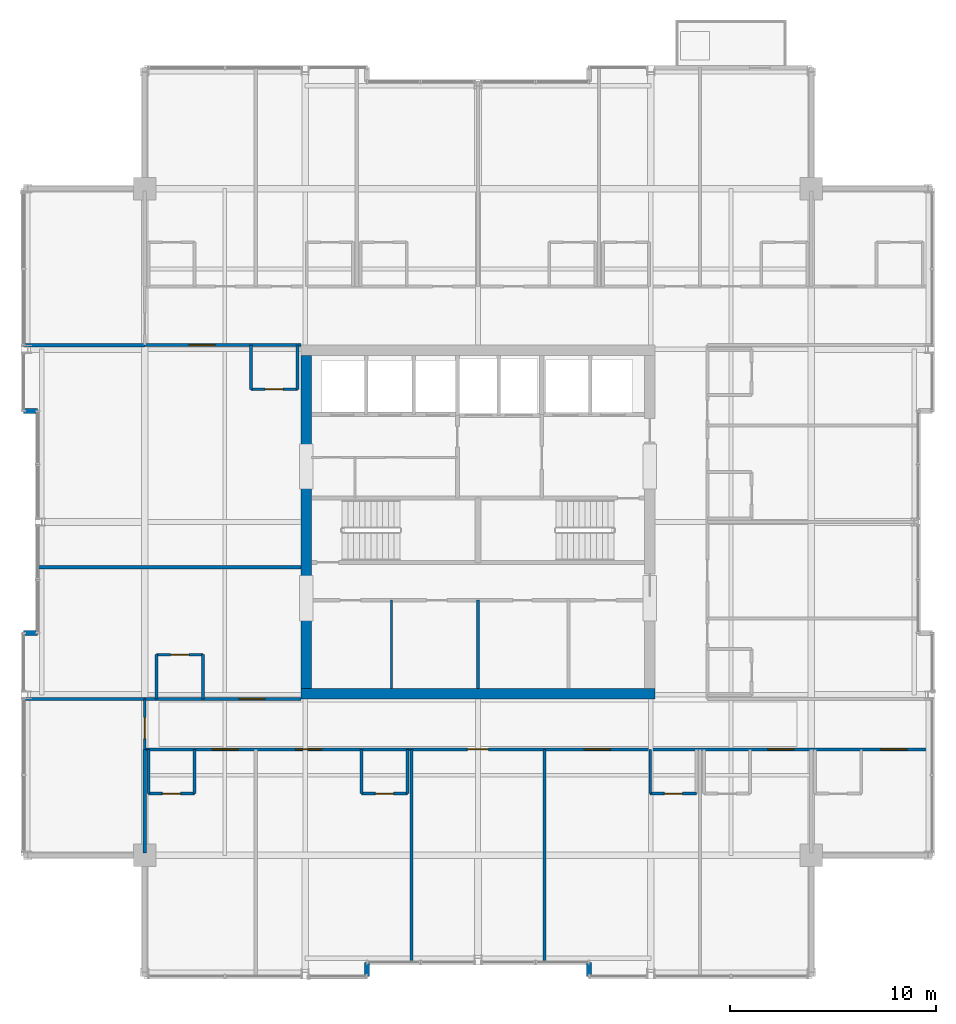
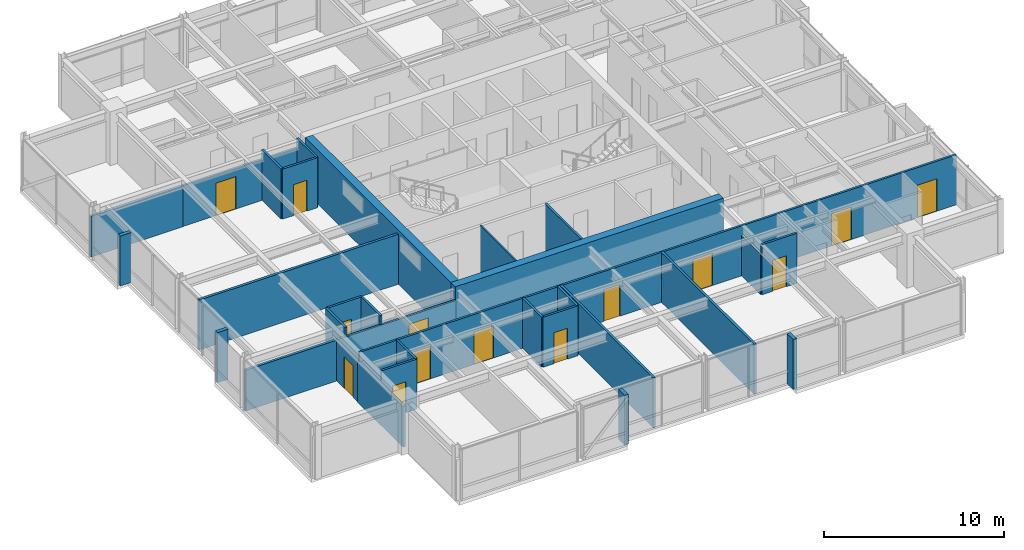
# One storey, part 27 of 33: 32 walls, 14 doors, 14 openings.
"""IFC4 building model written with IfcOpenShell, lengths in metres."""

from ifc_helpers import new_model, si_unit, direction, frame, frame_2d, origin, place, context, subcontext, project, spatial, rectangle, extrude, material, layer, layer_set, type_object, element, fill, save


model = new_model("IFC4")

# Units and contexts
model_context = context("Model", 3, precision=1e-05, world=origin(), true_north=direction((0.0, 1.0)))
body_context = subcontext(model_context, "Body", "Model", "MODEL_VIEW")
ifc_project = project(units=[si_unit("LENGTHUNIT", "METRE"), si_unit("AREAUNIT", "SQUARE_METRE"), si_unit("VOLUMEUNIT", "CUBIC_METRE"), si_unit("PLANEANGLEUNIT", "RADIAN"), si_unit("MASSUNIT", "GRAM", prefix="KILO")], contexts=[model_context])

# Site, building, storey
site_placement = place(None, origin())
site = spatial("IfcSite", under=ifc_project, at=site_placement, CompositionType="ELEMENT")
building_placement = place(site_placement, origin())
building = spatial("IfcBuilding", under=site, at=building_placement, Name="Drelvath Grand Hotel", CompositionType="ELEMENT")
storey_placement = place(building_placement, frame((0.0, 0.0, 268.64990234375)))
storey = spatial("IfcBuildingStorey", under=building, at=storey_placement, Name="L70", CompositionType="ELEMENT", Elevation=268.64990234375)

# Wall
ifc_material_1 = material(Name="Gypsum Partition Board")
ifc_layer_1 = layer(ifc_material_1, 0.10009765625)
ifc_layer_set_1 = layer_set([ifc_layer_1], Name="Gypsum Partition Board")
wall_type_1 = type_object("IfcWallType", Name="Core Closet Partition 100", PredefinedType="PARTITIONING", material=ifc_layer_set_1)
wall_1_placement = place(storey_placement, frame((-4.199951171875, 18.89990234375, 0.0), z_axis=(0.0, 0.0, 1.0), x_axis=(0.0, 1.0, 0.0)))
element("IfcWall", 1, at=wall_1_placement, inside=storey, type_object=wall_type_1, Name="L70 Upper Core Split 2A", PredefinedType="PARTITIONING", context=body_context, shape_type="SweptSolid", body=[
    extrude(rectangle(XDim=4.300048828125, YDim=0.10009765625, at=frame_2d((2.14990234375, 0.0))), origin(), (0.0, 0.0, 1.0), 3.39013671875),
])

# Wall, openings, doors
ifc_material_2 = material(Name="Gypsum Fireboard Partition")
ifc_layer_2 = layer(ifc_material_2, 0.135009765625)
ifc_layer_set_2 = layer_set([ifc_layer_2], Name="Gypsum Fireboard Partition")
wall_type_2 = type_object("IfcWallType", Name="Corridor Fire Barrier Wall 135", PredefinedType="PARTITIONING", material=ifc_layer_set_2)
wall_2_placement = place(storey_placement, frame((-16.199951171875, 15.949951171875, 0.0), z_axis=(0.0, 0.0, 1.0), x_axis=(1.0, 0.0, 0.0)))
wall_2 = element("IfcWall", 2, at=wall_2_placement, inside=storey, type_object=wall_type_2, Name="L70 South Cross-Gallery Wall", PredefinedType="PARTITIONING", context=body_context, shape_type="SweptSolid", body=[
    extrude(rectangle(XDim=38.280029296875, YDim=0.135009765625, at=frame_2d((19.14013671875, 0.0))), origin(), (0.0, 0.0, 1.0), 3.39013671875),
])
opening_1_placement = place(wall_2_placement, frame((35.784912109375, 0.0, 0.0)))
opening_1 = element("IfcOpeningElement", 3, at=opening_1_placement, cuts=wall_2, Name="Opening D-T5G1-023", PredefinedType="OPENING", context=body_context, shape_type="SweptSolid", body=[
    extrude(rectangle(XDim=1.260009765625, YDim=2.199951171875, at=frame_2d((0.6298828125, 1.10009765625))), frame((0.0, 0.077392578125, 0.0), z_axis=(0.0, -1.0, 0.0), x_axis=(1.0, 0.0, 0.0)), (0.0, 0.0, 1.0), 0.155029296875),
])
opening_2_placement = place(wall_2_placement, frame((3.284912109375, 0.0, 0.0)))
opening_2 = element("IfcOpeningElement", 4, at=opening_2_placement, cuts=wall_2, Name="Opening D-T5G1-027", PredefinedType="OPENING", context=body_context, shape_type="SweptSolid", body=[
    extrude(rectangle(XDim=1.260009765625, YDim=2.199951171875, at=frame_2d((0.6298828125, 1.10009765625))), frame((0.0, 0.077392578125, 0.0), z_axis=(0.0, -1.0, 0.0), x_axis=(1.0, 0.0, 0.0)), (0.0, 0.0, 1.0), 0.155029296875),
])
opening_3_placement = place(wall_2_placement, frame((7.3349609375, 0.0, 0.0)))
opening_3 = element("IfcOpeningElement", 5, at=opening_3_placement, cuts=wall_2, Name="Opening D-T5G1-029", PredefinedType="OPENING", context=body_context, shape_type="SweptSolid", body=[
    extrude(rectangle(XDim=1.260009765625, YDim=2.199951171875, at=frame_2d((0.6298828125, 1.10009765625))), frame((0.0, 0.077392578125, 0.0), z_axis=(0.0, -1.0, 0.0), x_axis=(1.0, 0.0, 0.0)), (0.0, 0.0, 1.0), 0.155029296875),
])
opening_4_placement = place(wall_2_placement, frame((15.68994140625, 0.0, 0.0)))
opening_4 = element("IfcOpeningElement", 6, at=opening_4_placement, cuts=wall_2, Name="Opening D-T5G1-030", PredefinedType="OPENING", context=body_context, shape_type="SweptSolid", body=[
    extrude(rectangle(XDim=1.02001953125, YDim=2.14990234375, at=frame_2d((0.510009765625, 1.074951171875))), frame((0.0, 0.077392578125, 0.0), z_axis=(0.0, -1.0, 0.0), x_axis=(1.0, 0.0, 0.0)), (0.0, 0.0, 1.0), 0.155029296875),
])
opening_5_placement = place(wall_2_placement, frame((21.375, 0.0, 0.0)))
opening_5 = element("IfcOpeningElement", 7, at=opening_5_placement, cuts=wall_2, Name="Opening D-T5G1-032", PredefinedType="OPENING", context=body_context, shape_type="SweptSolid", body=[
    extrude(rectangle(XDim=1.260009765625, YDim=2.199951171875, at=frame_2d((0.6298828125, 1.10009765625))), frame((0.0, 0.077392578125, 0.0), z_axis=(0.0, -1.0, 0.0), x_axis=(1.0, 0.0, 0.0)), (0.0, 0.0, 1.0), 0.155029296875),
])
opening_6_placement = place(wall_2_placement, frame((30.284912109375, 0.0, 0.0)))
opening_6 = element("IfcOpeningElement", 8, at=opening_6_placement, cuts=wall_2, Name="Opening D-T5G1-034", PredefinedType="OPENING", context=body_context, shape_type="SweptSolid", body=[
    extrude(rectangle(XDim=1.260009765625, YDim=2.199951171875, at=frame_2d((0.6298828125, 1.10009765625))), frame((0.0, 0.077392578125, 0.0), z_axis=(0.0, -1.0, 0.0), x_axis=(1.0, 0.0, 0.0)), (0.0, 0.0, 1.0), 0.155029296875),
])
ifc_material_3 = material(Name="Hardwood Walnut Timber", Category="wood")
door_type_1 = type_object("IfcDoorType", Name="Amenity Meeting Fire Door 1020x2150", OperationType="NOTDEFINED", PredefinedType="DOOR", material=ifc_material_3)
door_1_placement = place(opening_4_placement, origin())
door_1 = element("IfcDoor", 9, at=door_1_placement, inside=storey, type_object=door_type_1, Name="L70 Royal Sky Lounge Entry Door", OperationType="SINGLE_SWING_LEFT", OverallHeight=2.14990234375, OverallWidth=1.02001953125, PredefinedType="DOOR", context=body_context, shape_type="SweptSolid", body=[
    extrude(rectangle(XDim=1.02001953125, YDim=2.14990234375, at=frame_2d((0.510009765625, 1.074951171875))), frame((0.0, 0.02490234375, 0.0), z_axis=(0.0, -1.0, 0.0), x_axis=(1.0, 0.0, 0.0)), (0.0, 0.0, 1.0), 0.050048828125),
])
fill(opening_4, door_1)
door_type_2 = type_object("IfcDoorType", Name="Suite Entrance Fire Door 1260x2200", OperationType="NOTDEFINED", PredefinedType="DOOR", material=ifc_material_3)
door_2_placement = place(opening_1_placement, origin())
door_2 = element("IfcDoor", 10, at=door_2_placement, inside=storey, type_object=door_type_2, Name="L70 Royal Suite Entry Door", OperationType="SINGLE_SWING_RIGHT", OverallHeight=2.199951171875, OverallWidth=1.260009765625, PredefinedType="DOOR", context=body_context, shape_type="SweptSolid", body=[
    extrude(rectangle(XDim=1.260009765625, YDim=2.199951171875, at=frame_2d((0.6298828125, 1.10009765625))), frame((0.0, 0.02490234375, 0.0), z_axis=(0.0, -1.0, 0.0), x_axis=(1.0, 0.0, 0.0)), (0.0, 0.0, 1.0), 0.050048828125),
])
fill(opening_1, door_2)
door_3_placement = place(opening_2_placement, origin())
door_3 = element("IfcDoor", 11, at=door_3_placement, inside=storey, type_object=door_type_2, Name="L70 Royal Suite Entry Door", OperationType="SINGLE_SWING_RIGHT", OverallHeight=2.199951171875, OverallWidth=1.260009765625, PredefinedType="DOOR", context=body_context, shape_type="SweptSolid", body=[
    extrude(rectangle(XDim=1.260009765625, YDim=2.199951171875, at=frame_2d((0.6298828125, 1.10009765625))), frame((0.0, 0.02490234375, 0.0), z_axis=(0.0, -1.0, 0.0), x_axis=(1.0, 0.0, 0.0)), (0.0, 0.0, 1.0), 0.050048828125),
])
fill(opening_2, door_3)
door_4_placement = place(opening_3_placement, origin())
door_4 = element("IfcDoor", 12, at=door_4_placement, inside=storey, type_object=door_type_2, Name="L70 Royal Suite Entry Door", OperationType="SINGLE_SWING_RIGHT", OverallHeight=2.199951171875, OverallWidth=1.260009765625, PredefinedType="DOOR", context=body_context, shape_type="SweptSolid", body=[
    extrude(rectangle(XDim=1.260009765625, YDim=2.199951171875, at=frame_2d((0.6298828125, 1.10009765625))), frame((0.0, 0.02490234375, 0.0), z_axis=(0.0, -1.0, 0.0), x_axis=(1.0, 0.0, 0.0)), (0.0, 0.0, 1.0), 0.050048828125),
])
fill(opening_3, door_4)
door_5_placement = place(opening_5_placement, origin())
door_5 = element("IfcDoor", 13, at=door_5_placement, inside=storey, type_object=door_type_2, Name="L70 Royal Suite Entry Door", OperationType="SINGLE_SWING_LEFT", OverallHeight=2.199951171875, OverallWidth=1.260009765625, PredefinedType="DOOR", context=body_context, shape_type="SweptSolid", body=[
    extrude(rectangle(XDim=1.260009765625, YDim=2.199951171875, at=frame_2d((0.6298828125, 1.10009765625))), frame((0.0, 0.02490234375, 0.0), z_axis=(0.0, -1.0, 0.0), x_axis=(1.0, 0.0, 0.0)), (0.0, 0.0, 1.0), 0.050048828125),
])
fill(opening_5, door_5)
door_6_placement = place(opening_6_placement, origin())
door_6 = element("IfcDoor", 14, at=door_6_placement, inside=storey, type_object=door_type_2, Name="L70 Royal Suite Entry Door", OperationType="SINGLE_SWING_LEFT", OverallHeight=2.199951171875, OverallWidth=1.260009765625, PredefinedType="DOOR", context=body_context, shape_type="SweptSolid", body=[
    extrude(rectangle(XDim=1.260009765625, YDim=2.199951171875, at=frame_2d((0.6298828125, 1.10009765625))), frame((0.0, 0.02490234375, 0.0), z_axis=(0.0, -1.0, 0.0), x_axis=(1.0, 0.0, 0.0)), (0.0, 0.0, 1.0), 0.050048828125),
])
fill(opening_6, door_6)

# Wall, opening, door
wall_3_placement = place(storey_placement, frame((-16.199951171875, 18.39990234375, 0.0), z_axis=(0.0, 0.0, 1.0), x_axis=(1.0, 0.0, 0.0)))
wall_3 = element("IfcWall", 15, at=wall_3_placement, inside=storey, type_object=wall_type_2, Name="L70 South Gallery Inner West Wall", PredefinedType="PARTITIONING", context=body_context, shape_type="SweptSolid", body=[
    extrude(rectangle(XDim=7.599853515625, YDim=0.135009765625, at=frame_2d((3.7998046875, 0.0))), origin(), (0.0, 0.0, 1.0), 2.767578125),
])
opening_7_placement = place(wall_3_placement, frame((4.5849609375, 0.0, 0.0)))
opening_7 = element("IfcOpeningElement", 16, at=opening_7_placement, cuts=wall_3, Name="Opening D-T5G1-055", PredefinedType="OPENING", context=body_context, shape_type="SweptSolid", body=[
    extrude(rectangle(XDim=1.260009765625, YDim=2.199951171875, at=frame_2d((0.6298828125, 1.10009765625))), frame((0.0, 0.077392578125, 0.0), z_axis=(0.0, -1.0, 0.0), x_axis=(1.0, 0.0, 0.0)), (0.0, 0.0, 1.0), 0.155029296875),
])
door_7_placement = place(opening_7_placement, origin())
door_7 = element("IfcDoor", 17, at=door_7_placement, inside=storey, type_object=door_type_2, Name="L70 Royal Suite Entry Door", OperationType="SINGLE_SWING_RIGHT", OverallHeight=2.199951171875, OverallWidth=1.260009765625, PredefinedType="DOOR", context=body_context, shape_type="SweptSolid", body=[
    extrude(rectangle(XDim=1.260009765625, YDim=2.199951171875, at=frame_2d((0.6298828125, 1.10009765625))), frame((0.0, 0.02490234375, 0.0), z_axis=(0.0, -1.0, 0.0), x_axis=(1.0, 0.0, 0.0)), (0.0, 0.0, 1.0), 0.050048828125),
])
fill(opening_7, door_7)

wall_4_placement = place(storey_placement, frame((-16.199951171875, 35.60009765625, 0.0), z_axis=(0.0, 0.0, 1.0), x_axis=(1.0, 0.0, 0.0)))
wall_4 = element("IfcWall", 18, at=wall_4_placement, inside=storey, type_object=wall_type_2, Name="L70 North Gallery Inner West Wall", PredefinedType="PARTITIONING", context=body_context, shape_type="SweptSolid", body=[
    extrude(rectangle(XDim=7.599853515625, YDim=0.135009765625, at=frame_2d((3.7998046875, 0.0))), origin(), (0.0, 0.0, 1.0), 2.767578125),
])
opening_8_placement = place(wall_4_placement, frame((2.155029296875, 0.0, 0.0)))
opening_8 = element("IfcOpeningElement", 19, at=opening_8_placement, cuts=wall_4, Name="Opening D-T5G1-057", PredefinedType="OPENING", context=body_context, shape_type="SweptSolid", body=[
    extrude(rectangle(XDim=1.260009765625, YDim=2.199951171875, at=frame_2d((0.6298828125, 1.10009765625))), frame((0.0, 0.077392578125, 0.0), z_axis=(0.0, -1.0, 0.0), x_axis=(1.0, 0.0, 0.0)), (0.0, 0.0, 1.0), 0.155029296875),
])
door_8_placement = place(opening_8_placement, origin())
door_8 = element("IfcDoor", 20, at=door_8_placement, inside=storey, type_object=door_type_2, Name="L70 Royal Suite Entry Door", OperationType="SINGLE_SWING_RIGHT", OverallHeight=2.199951171875, OverallWidth=1.260009765625, PredefinedType="DOOR", context=body_context, shape_type="SweptSolid", body=[
    extrude(rectangle(XDim=1.260009765625, YDim=2.199951171875, at=frame_2d((0.6298828125, 1.10009765625))), frame((0.0, 0.02490234375, 0.0), z_axis=(0.0, -1.0, 0.0), x_axis=(1.0, 0.0, 0.0)), (0.0, 0.0, 1.0), 0.050048828125),
])
fill(opening_8, door_8)

wall_5_placement = place(storey_placement, frame((-16.199951171875, 15.949951171875, 0.0), z_axis=(0.0, 0.0, 1.0), x_axis=(0.0, 1.0, 0.0)))
wall_5 = element("IfcWall", 21, at=wall_5_placement, inside=storey, type_object=wall_type_2, Name="L70 South Gallery West End", PredefinedType="PARTITIONING", context=body_context, shape_type="SweptSolid", body=[
    extrude(rectangle(XDim=2.449951171875, YDim=0.135009765625, at=frame_2d((1.22509765625, 0.0))), origin(), (0.0, 0.0, 1.0), 2.76416015625),
])
opening_9_placement = place(wall_5_placement, frame((0.52001953125, 0.0, 0.0)))
opening_9 = element("IfcOpeningElement", 22, at=opening_9_placement, cuts=wall_5, Name="Opening D-T5G1-020", PredefinedType="OPENING", context=body_context, shape_type="SweptSolid", body=[
    extrude(rectangle(XDim=1.02001953125, YDim=2.14990234375, at=frame_2d((0.510009765625, 1.074951171875))), frame((0.0, 0.077392578125, 0.0), z_axis=(0.0, -1.0, 0.0), x_axis=(1.0, 0.0, 0.0)), (0.0, 0.0, 1.0), 0.155029296875),
])
door_9_placement = place(opening_9_placement, origin())
door_9 = element("IfcDoor", 23, at=door_9_placement, inside=storey, type_object=door_type_1, Name="L70 Corner Panorama Lounge Door", OperationType="SINGLE_SWING_LEFT", OverallHeight=2.14990234375, OverallWidth=1.02001953125, PredefinedType="DOOR", context=body_context, shape_type="SweptSolid", body=[
    extrude(rectangle(XDim=1.02001953125, YDim=2.14990234375, at=frame_2d((0.510009765625, 1.074951171875))), frame((0.0, 0.02490234375, 0.0), z_axis=(0.0, -1.0, 0.0), x_axis=(1.0, 0.0, 0.0)), (0.0, 0.0, 1.0), 0.050048828125),
])
fill(opening_9, door_9)

# Walls
ifc_material_4 = material(Name="Moisture-Resistant Gypsum Board")
ifc_layer_3 = layer(ifc_material_4, 0.139892578125)
ifc_layer_set_3 = layer_set([ifc_layer_3], Name="Moisture-Resistant Gypsum Board")
wall_type_3 = type_object("IfcWallType", Name="En-Suite Plumbing Wall 140", PredefinedType="PLUMBINGWALL", material=ifc_layer_set_3)
wall_6_placement = place(storey_placement, frame((0.0, 18.89990234375, 0.0), z_axis=(0.0, 0.0, 1.0), x_axis=(0.0, 1.0, 0.0)))
element("IfcWall", 24, at=wall_6_placement, inside=storey, type_object=wall_type_3, Name="L70 Upper Core Split 2B", PredefinedType="PLUMBINGWALL", context=body_context, shape_type="SweptSolid", body=[
    extrude(rectangle(XDim=4.300048828125, YDim=0.139892578125, at=frame_2d((2.14990234375, 0.0))), origin(), (0.0, 0.0, 1.0), 3.39013671875),
])
wall_7_placement = place(storey_placement, frame((-16.02001953125, 15.949951171875, 0.0), z_axis=(0.0, 0.0, 1.0), x_axis=(0.0, -1.0, 0.0)))
element("IfcWall", 25, at=wall_7_placement, inside=storey, type_object=wall_type_3, Name="L70 En-Suite Left Wall", PredefinedType="PLUMBINGWALL", context=body_context, shape_type="SweptSolid", body=[
    extrude(rectangle(XDim=2.14990234375, YDim=0.139892578125, at=frame_2d((1.074951171875, 0.0))), origin(), (0.0, 0.0, 1.0), 2.76416015625),
])
wall_8_placement = place(storey_placement, frame((-13.77001953125, 15.949951171875, 0.0), z_axis=(0.0, 0.0, 1.0), x_axis=(0.0, -1.0, 0.0)))
element("IfcWall", 26, at=wall_8_placement, inside=storey, type_object=wall_type_3, Name="L70 En-Suite Right Wall", PredefinedType="PLUMBINGWALL", context=body_context, shape_type="SweptSolid", body=[
    extrude(rectangle(XDim=2.14990234375, YDim=0.139892578125, at=frame_2d((1.074951171875, 0.0))), origin(), (0.0, 0.0, 1.0), 3.39013671875),
])

# Wall, opening, door
wall_9_placement = place(storey_placement, frame((-16.02001953125, 13.800048828125, 0.0), z_axis=(0.0, 0.0, 1.0), x_axis=(1.0, 0.0, 0.0)))
wall_9 = element("IfcWall", 27, at=wall_9_placement, inside=storey, type_object=wall_type_3, Name="L70 En-Suite Front Wall", PredefinedType="PLUMBINGWALL", context=body_context, shape_type="SweptSolid", body=[
    extrude(rectangle(XDim=2.25, YDim=0.139892578125, at=frame_2d((1.125, 0.0))), origin(), (0.0, 0.0, 1.0), 3.39013671875),
])
opening_10_placement = place(wall_9_placement, frame((0.68505859375, 0.0, 0.0)))
opening_10 = element("IfcOpeningElement", 28, at=opening_10_placement, cuts=wall_9, Name="Opening D-T5G1-026", PredefinedType="OPENING", context=body_context, shape_type="SweptSolid", body=[
    extrude(rectangle(XDim=0.8798828125, YDim=2.10009765625, at=frame_2d((0.43994140625, 1.050048828125))), frame((0.0, 0.079833984375, 0.0), z_axis=(0.0, -1.0, 0.0), x_axis=(1.0, 0.0, 0.0)), (0.0, 0.0, 1.0), 0.159912109375),
])
door_type_3 = type_object("IfcDoorType", Name="En-Suite Bathroom Door 880x2100", OperationType="NOTDEFINED", PredefinedType="DOOR", material=ifc_material_3)
door_10_placement = place(opening_10_placement, origin())
door_10 = element("IfcDoor", 29, at=door_10_placement, inside=storey, type_object=door_type_3, Name="L70 En-Suite Bathroom Door", OperationType="SINGLE_SWING_LEFT", OverallHeight=2.10009765625, OverallWidth=0.8798828125, PredefinedType="DOOR", context=body_context, shape_type="SweptSolid", body=[
    extrude(rectangle(XDim=0.8798828125, YDim=2.10009765625, at=frame_2d((0.43994140625, 1.050048828125))), frame((0.0, 0.02490234375, 0.0), z_axis=(0.0, -1.0, 0.0), x_axis=(1.0, 0.0, 0.0)), (0.0, 0.0, 1.0), 0.050048828125),
])
fill(opening_10, door_10)

# Walls
for number, where, z_axis, x_axis, name in (
    (30, (-5.669921875, 15.949951171875, 0.0), (0.0, 0.0, 1.0), (0.0, -1.0, 0.0), "L70 En-Suite Left Wall"),
    (31, (-3.419921875, 15.949951171875, 0.0), (0.0, 0.0, 1.0), (0.0, -1.0, 0.0), "L70 En-Suite Right Wall"),
):
    element("IfcWall", number, at=place(storey_placement, frame(where, z_axis=z_axis, x_axis=x_axis)), inside=storey, type_object=wall_type_3, Name=name, PredefinedType="PLUMBINGWALL", context=body_context, shape_type="SweptSolid", body=[
        extrude(rectangle(XDim=2.14990234375, YDim=0.139892578125, at=frame_2d((1.074951171875, 0.0))), origin(), (0.0, 0.0, 1.0), 3.39013671875),
    ])

# Wall, opening, door
wall_10_placement = place(storey_placement, frame((-5.669921875, 13.800048828125, 0.0), z_axis=(0.0, 0.0, 1.0), x_axis=(1.0, 0.0, 0.0)))
wall_10 = element("IfcWall", 32, at=wall_10_placement, inside=storey, type_object=wall_type_3, Name="L70 En-Suite Front Wall", PredefinedType="PLUMBINGWALL", context=body_context, shape_type="SweptSolid", body=[
    extrude(rectangle(XDim=2.25, YDim=0.139892578125, at=frame_2d((1.125, 0.0))), origin(), (0.0, 0.0, 1.0), 3.39013671875),
])
opening_11_placement = place(wall_10_placement, frame((0.68505859375, 0.0, 0.0)))
opening_11 = element("IfcOpeningElement", 33, at=opening_11_placement, cuts=wall_10, Name="Opening D-T5G1-028", PredefinedType="OPENING", context=body_context, shape_type="SweptSolid", body=[
    extrude(rectangle(XDim=0.8798828125, YDim=2.10009765625, at=frame_2d((0.43994140625, 1.050048828125))), frame((0.0, 0.079833984375, 0.0), z_axis=(0.0, -1.0, 0.0), x_axis=(1.0, 0.0, 0.0)), (0.0, 0.0, 1.0), 0.159912109375),
])
door_11_placement = place(opening_11_placement, origin())
door_11 = element("IfcDoor", 34, at=door_11_placement, inside=storey, type_object=door_type_3, Name="L70 En-Suite Bathroom Door", OperationType="SINGLE_SWING_LEFT", OverallHeight=2.10009765625, OverallWidth=0.8798828125, PredefinedType="DOOR", context=body_context, shape_type="SweptSolid", body=[
    extrude(rectangle(XDim=0.8798828125, YDim=2.10009765625, at=frame_2d((0.43994140625, 1.050048828125))), frame((0.0, 0.02490234375, 0.0), z_axis=(0.0, -1.0, 0.0), x_axis=(1.0, 0.0, 0.0)), (0.0, 0.0, 1.0), 0.050048828125),
])
fill(opening_11, door_11)

# Wall
wall_11_placement = place(storey_placement, frame((8.3701171875, 15.949951171875, 0.0), z_axis=(0.0, 0.0, 1.0), x_axis=(0.0, -1.0, 0.0)))
element("IfcWall", 35, at=wall_11_placement, inside=storey, type_object=wall_type_3, Name="L70 En-Suite Left Wall", PredefinedType="PLUMBINGWALL", context=body_context, shape_type="SweptSolid", body=[
    extrude(rectangle(XDim=2.14990234375, YDim=0.139892578125, at=frame_2d((1.074951171875, 0.0))), origin(), (0.0, 0.0, 1.0), 2.767578125),
])

# Wall, opening, door
wall_12_placement = place(storey_placement, frame((8.3701171875, 13.800048828125, 0.0), z_axis=(0.0, 0.0, 1.0), x_axis=(1.0, 0.0, 0.0)))
wall_12 = element("IfcWall", 36, at=wall_12_placement, inside=storey, type_object=wall_type_3, Name="L70 En-Suite Front Wall", PredefinedType="PLUMBINGWALL", context=body_context, shape_type="SweptSolid", body=[
    extrude(rectangle(XDim=2.25, YDim=0.139892578125, at=frame_2d((1.125, 0.0))), origin(), (0.0, 0.0, 1.0), 3.39013671875),
])
opening_12_placement = place(wall_12_placement, frame((0.68505859375, 0.0, 0.0)))
opening_12 = element("IfcOpeningElement", 37, at=opening_12_placement, cuts=wall_12, Name="Opening D-T5G1-031", PredefinedType="OPENING", context=body_context, shape_type="SweptSolid", body=[
    extrude(rectangle(XDim=0.8798828125, YDim=2.10009765625, at=frame_2d((0.43994140625, 1.050048828125))), frame((0.0, 0.079833984375, 0.0), z_axis=(0.0, -1.0, 0.0), x_axis=(1.0, 0.0, 0.0)), (0.0, 0.0, 1.0), 0.159912109375),
])
door_12_placement = place(opening_12_placement, origin())
door_12 = element("IfcDoor", 38, at=door_12_placement, inside=storey, type_object=door_type_3, Name="L70 En-Suite Bathroom Door", OperationType="SINGLE_SWING_RIGHT", OverallHeight=2.10009765625, OverallWidth=0.8798828125, PredefinedType="DOOR", context=body_context, shape_type="SweptSolid", body=[
    extrude(rectangle(XDim=0.8798828125, YDim=2.10009765625, at=frame_2d((0.43994140625, 1.050048828125))), frame((0.0, 0.02490234375, 0.0), z_axis=(0.0, -1.0, 0.0), x_axis=(1.0, 0.0, 0.0)), (0.0, 0.0, 1.0), 0.050048828125),
])
fill(opening_12, door_12)

# Walls
for number, where, z_axis, x_axis, name in (
    (39, (-15.6201171875, 18.39990234375, 0.0), (0.0, 0.0, 1.0), (0.0, 1.0, 0.0), "L70 En-Suite Left Wall"),
    (40, (-13.3701171875, 18.39990234375, 0.0), (0.0, 0.0, 1.0), (0.0, 1.0, 0.0), "L70 En-Suite Right Wall"),
):
    element("IfcWall", number, at=place(storey_placement, frame(where, z_axis=z_axis, x_axis=x_axis)), inside=storey, type_object=wall_type_3, Name=name, PredefinedType="PLUMBINGWALL", context=body_context, shape_type="SweptSolid", body=[
        extrude(rectangle(XDim=2.150146484375, YDim=0.139892578125, at=frame_2d((1.0751953125, 0.0))), origin(), (0.0, 0.0, 1.0), 3.39013671875),
    ])

# Wall, opening, door
wall_13_placement = place(storey_placement, frame((-15.6201171875, 20.550048828125, 0.0), z_axis=(0.0, 0.0, 1.0), x_axis=(1.0, 0.0, 0.0)))
wall_13 = element("IfcWall", 41, at=wall_13_placement, inside=storey, type_object=wall_type_3, Name="L70 En-Suite Front Wall", PredefinedType="PLUMBINGWALL", context=body_context, shape_type="SweptSolid", body=[
    extrude(rectangle(XDim=2.25, YDim=0.139892578125, at=frame_2d((1.125, 0.0))), origin(), (0.0, 0.0, 1.0), 3.39013671875),
])
opening_13_placement = place(wall_13_placement, frame((0.68505859375, 0.0, 0.0)))
opening_13 = element("IfcOpeningElement", 42, at=opening_13_placement, cuts=wall_13, Name="Opening D-T5G1-054", PredefinedType="OPENING", context=body_context, shape_type="SweptSolid", body=[
    extrude(rectangle(XDim=0.8798828125, YDim=2.10009765625, at=frame_2d((0.43994140625, 1.050048828125))), frame((0.0, 0.079833984375, 0.0), z_axis=(0.0, -1.0, 0.0), x_axis=(1.0, 0.0, 0.0)), (0.0, 0.0, 1.0), 0.159912109375),
])
door_13_placement = place(opening_13_placement, origin())
door_13 = element("IfcDoor", 43, at=door_13_placement, inside=storey, type_object=door_type_3, Name="L70 En-Suite Bathroom Door", OperationType="SINGLE_SWING_LEFT", OverallHeight=2.10009765625, OverallWidth=0.8798828125, PredefinedType="DOOR", context=body_context, shape_type="SweptSolid", body=[
    extrude(rectangle(XDim=0.8798828125, YDim=2.10009765625, at=frame_2d((0.43994140625, 1.050048828125))), frame((0.0, 0.02490234375, 0.0), z_axis=(0.0, -1.0, 0.0), x_axis=(1.0, 0.0, 0.0)), (0.0, 0.0, 1.0), 0.050048828125),
])
fill(opening_13, door_13)

# Walls
for number, where, z_axis, x_axis, name in (
    (44, (-11.030029296875, 35.60009765625, 0.0), (0.0, 0.0, 1.0), (0.0, -1.0, 0.0), "L70 En-Suite Left Wall"),
    (45, (-8.780029296875, 35.60009765625, 0.0), (0.0, 0.0, 1.0), (0.0, -1.0, 0.0), "L70 En-Suite Right Wall"),
):
    element("IfcWall", number, at=place(storey_placement, frame(where, z_axis=z_axis, x_axis=x_axis)), inside=storey, type_object=wall_type_3, Name=name, PredefinedType="PLUMBINGWALL", context=body_context, shape_type="SweptSolid", body=[
        extrude(rectangle(XDim=2.150146484375, YDim=0.139892578125, at=frame_2d((1.0751953125, 0.0))), origin(), (0.0, 0.0, 1.0), 3.39013671875),
    ])

# Wall, opening, door
wall_14_placement = place(storey_placement, frame((-11.030029296875, 33.449951171875, 0.0), z_axis=(0.0, 0.0, 1.0), x_axis=(1.0, 0.0, 0.0)))
wall_14 = element("IfcWall", 46, at=wall_14_placement, inside=storey, type_object=wall_type_3, Name="L70 En-Suite Front Wall", PredefinedType="PLUMBINGWALL", context=body_context, shape_type="SweptSolid", body=[
    extrude(rectangle(XDim=2.25, YDim=0.139892578125, at=frame_2d((1.125, 0.0))), origin(), (0.0, 0.0, 1.0), 3.39013671875),
])
opening_14_placement = place(wall_14_placement, frame((0.68505859375, 0.0, 0.0)))
opening_14 = element("IfcOpeningElement", 47, at=opening_14_placement, cuts=wall_14, Name="Opening D-T5G1-056", PredefinedType="OPENING", context=body_context, shape_type="SweptSolid", body=[
    extrude(rectangle(XDim=0.8798828125, YDim=2.10009765625, at=frame_2d((0.43994140625, 1.050048828125))), frame((0.0, 0.079833984375, 0.0), z_axis=(0.0, -1.0, 0.0), x_axis=(1.0, 0.0, 0.0)), (0.0, 0.0, 1.0), 0.159912109375),
])
door_14_placement = place(opening_14_placement, origin())
door_14 = element("IfcDoor", 48, at=door_14_placement, inside=storey, type_object=door_type_3, Name="L70 En-Suite Bathroom Door", OperationType="SINGLE_SWING_LEFT", OverallHeight=2.10009765625, OverallWidth=0.8798828125, PredefinedType="DOOR", context=body_context, shape_type="SweptSolid", body=[
    extrude(rectangle(XDim=0.8798828125, YDim=2.10009765625, at=frame_2d((0.43994140625, 1.050048828125))), frame((0.0, 0.02490234375, 0.0), z_axis=(0.0, -1.0, 0.0), x_axis=(1.0, 0.0, 0.0)), (0.0, 0.0, 1.0), 0.050048828125),
])
fill(opening_14, door_14)

# Walls
ifc_material_5 = material(Name="Gypsum Acoustic Partition")
ifc_layer_4 = layer(ifc_material_5, 0.14990234375)
ifc_layer_set_4 = layer_set([ifc_layer_4], Name="Gypsum Acoustic Partition")
wall_type_4 = type_object("IfcWallType", Name="Guestroom Demising Wall 150", PredefinedType="PARTITIONING", material=ifc_layer_set_4)
for number, where, z_axis, x_axis, name in (
    (49, (-3.239990234375, 5.60009765625, 0.0), (0.0, 0.0, 1.0), (0.0, 1.0, 0.0), "L70 South Demising 2"),
    (50, (3.239990234375, 5.60009765625, 0.0), (0.0, 0.0, 1.0), (0.0, 1.0, 0.0), "L70 South Demising 3"),
):
    element("IfcWall", number, at=place(storey_placement, frame(where, z_axis=z_axis, x_axis=x_axis)), inside=storey, type_object=wall_type_4, Name=name, PredefinedType="PARTITIONING", context=body_context, shape_type="SweptSolid", body=[
        extrude(rectangle(XDim=10.349853515625, YDim=0.14990234375, at=frame_2d((5.1748046875, 0.0))), origin(), (0.0, 0.0, 1.0), 3.39013671875),
    ])
ifc_layer_5 = layer(ifc_material_5, 0.1650390625)
ifc_layer_set_5 = layer_set([ifc_layer_5], Name="Gypsum Acoustic Partition")
wall_type_5 = type_object("IfcWallType", Name="Suite Demising Wall 165", PredefinedType="PARTITIONING", material=ifc_layer_set_5)
wall_15_placement = place(storey_placement, frame((-16.199951171875, 10.919921875, 0.0), z_axis=(0.0, 0.0, 1.0), x_axis=(0.0, 1.0, 0.0)))
element("IfcWall", 51, at=wall_15_placement, inside=storey, type_object=wall_type_5, Name="L70 SW Suite Wall", PredefinedType="PARTITIONING", context=body_context, shape_type="SweptSolid", body=[
    extrude(rectangle(XDim=5.030029296875, YDim=0.1650390625, at=frame_2d((2.51513671875, 0.0))), origin(), (0.0, 0.0, 1.0), 2.76416015625),
])
for number, where, z_axis, x_axis, name in (
    (52, (-22.080078125, 18.39990234375, 0.0), (0.0, 0.0, 1.0), (1.0, 0.0, 0.0), "L70 SW Corner North Wall"),
    (53, (-22.080078125, 35.60009765625, 0.0), (0.0, 0.0, 1.0), (1.0, 0.0, 0.0), "L70 NW Corner South Wall"),
):
    element("IfcWall", number, at=place(storey_placement, frame(where, z_axis=z_axis, x_axis=x_axis)), inside=storey, type_object=wall_type_5, Name=name, PredefinedType="PARTITIONING", context=body_context, shape_type="SweptSolid", body=[
        extrude(rectangle(XDim=5.880126953125, YDim=0.1650390625, at=frame_2d((2.93994140625, 0.0))), origin(), (0.0, 0.0, 1.0), 2.76416015625),
    ])
wall_16_placement = place(storey_placement, frame((-21.39990234375, 24.800048828125, 0.0), z_axis=(0.0, 0.0, 1.0), x_axis=(1.0, 0.0, 0.0)))
element("IfcWall", 54, at=wall_16_placement, inside=storey, type_object=wall_type_5, Name="L70 West Grand Suite Split Wall", PredefinedType="PARTITIONING", context=body_context, shape_type="SweptSolid", body=[
    extrude(rectangle(XDim=12.7998046875, YDim=0.1650390625, at=frame_2d((6.39990234375, 0.0))), origin(), (0.0, 0.0, 1.0), 3.39013671875),
])
ifc_material_6 = material(Name="Pale-Metal Insulated Aluminium Spandrel Assembly", Category="aluminium")
ifc_layer_6 = layer(ifc_material_6, 0.239990234375)
ifc_layer_set_6 = layer_set([ifc_layer_6], Name="Pale-Metal Insulated Aluminium Spandrel Assembly")
wall_type_6 = type_object("IfcWallType", Name="Tower Insulated Metal Spandrel Closure Wall 240", PredefinedType="STANDARD", material=ifc_layer_set_6)
for number, where, z_axis, x_axis, name in (
    (55, (-22.080078125, 21.60009765625, 0.0), (0.0, 0.0, 1.0), (1.0, 0.0, 0.0), "L70 Notched Corner Return Spandrel Wall RW1"),
    (56, (-21.39990234375, 32.39990234375, 0.0), (0.0, 0.0, 1.0), (-1.0, 0.0, 0.0), "L70 Notched Corner Return Spandrel Wall RW2"),
    (57, (5.39990234375, 4.919921875, 0.0), (0.0, 0.0, 1.0), (0.0, 1.0, 0.0), "L70 Notched Corner Return Spandrel Wall RS1"),
    (58, (-5.39990234375, 5.60009765625, 0.0), (0.0, 0.0, 1.0), (0.0, -1.0, 0.0), "L70 Notched Corner Return Spandrel Wall RS2"),
):
    element("IfcWall", number, at=place(storey_placement, frame(where, z_axis=z_axis, x_axis=x_axis)), inside=storey, type_object=wall_type_6, Name=name, PredefinedType="STANDARD", context=body_context, shape_type="SweptSolid", body=[
        extrude(rectangle(XDim=0.68017578125, YDim=0.239990234375, at=frame_2d((0.340087890625, 0.0))), origin(), (0.0, 0.0, 1.0), 3.39013671875),
    ])
ifc_material_7 = material(Name="Concrete f'c 55 MPa", Category="concrete")
ifc_layer_7 = layer(ifc_material_7, 0.5)
ifc_layer_set_7 = layer_set([ifc_layer_7], Name="Concrete f'c 55 MPa")
wall_type_7 = type_object("IfcWallType", Name="Upper Core RC Shear Wall 500", PredefinedType="SHEAR", material=ifc_layer_set_7)
wall_17_placement = place(storey_placement, frame((8.60009765625, 18.64990234375, 0.0), z_axis=(0.0, 0.0, 1.0), x_axis=(-1.0, 0.0, 0.0)))
element("IfcWall", 59, at=wall_17_placement, inside=storey, type_object=wall_type_7, Name="L70 Central Core Shear Wall S", PredefinedType="SHEAR", context=body_context, shape_type="SweptSolid", body=[
    extrude(rectangle(XDim=17.2001953125, YDim=0.5, at=frame_2d((8.60009765625, 0.0))), origin(), (0.0, 0.0, 1.0), 3.650146484375),
])
wall_18_placement = place(storey_placement, frame((-8.35009765625, 18.89990234375, 0.0), z_axis=(0.0, 0.0, 1.0), x_axis=(0.0, 1.0, 0.0)))
element("IfcWall", 60, at=wall_18_placement, inside=storey, type_object=wall_type_7, Name="L70 Central Core Shear Wall W", PredefinedType="SHEAR", context=body_context, shape_type="SweptSolid", body=[
    extrude(rectangle(XDim=16.2001953125, YDim=0.5, at=frame_2d((8.10009765625, 0.0))), origin(), (0.0, 0.0, 1.0), 3.650146484375),
])

save(model, "model.ifc")
